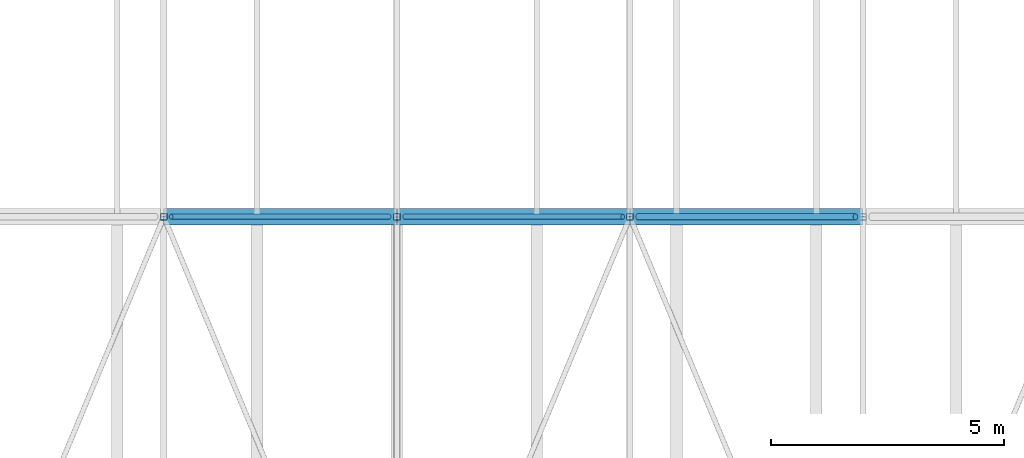
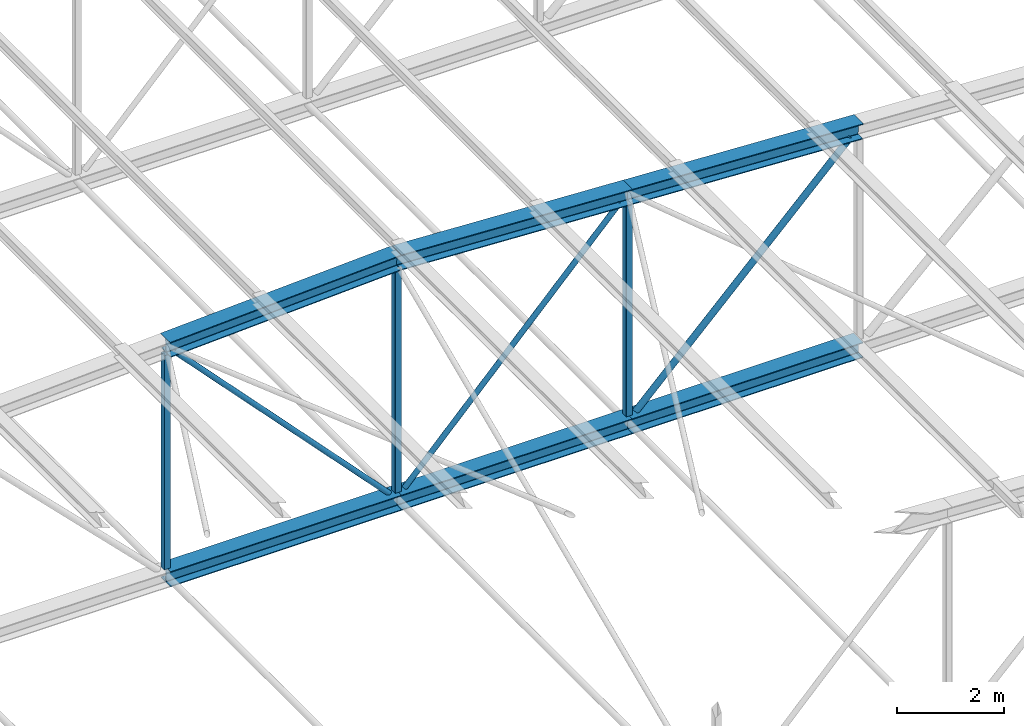
# One storey, part 101 of 156: 12 members.
"""IFC4 building model written with IfcOpenShell, lengths in metres."""

from ifc_helpers import new_model, si_unit, direction, frame, origin, origin_2d, place, context, subcontext, project, spatial, hollow_rectangle, hollow_circle, i_section, extrude, material, material_profile, profile_set, type_object, element, save


model = new_model("IFC4")

# Units and contexts
model_context = context("Model", 3, precision=1e-05, world=origin(), true_north=direction((0.0, 1.0)))
body_context = subcontext(model_context, "Body", "Model", "MODEL_VIEW")
ifc_project = project(units=[si_unit("LENGTHUNIT", "METRE"), si_unit("AREAUNIT", "SQUARE_METRE"), si_unit("VOLUMEUNIT", "CUBIC_METRE"), si_unit("PLANEANGLEUNIT", "RADIAN"), si_unit("MASSUNIT", "GRAM", prefix="KILO")], contexts=[model_context])

# Site, building, storey
site_placement = place(None, origin())
site = spatial("IfcSite", under=ifc_project, at=site_placement, CompositionType="ELEMENT")
building_placement = place(site_placement, origin())
building = spatial("IfcBuilding", under=site, at=building_placement, Name="Lilac Gate Convention Centre", CompositionType="ELEMENT")
storey_placement = place(building_placement, frame((0.0, 0.0, 17.0)))
storey = spatial("IfcBuildingStorey", under=building, at=storey_placement, Name="L03", CompositionType="ELEMENT", Elevation=17.0)

# Members
ifc_material = material(Name="Steel Q355B", Category="steel")
ifc_material_profile_1 = material_profile(ifc_material, i_section(OverallWidth=0.35693359375, OverallDepth=0.35009765625, WebThickness=0.01904296875, FlangeThickness=0.01904296875, FilletRadius=0.012939453125, at=origin_2d()), Name="HW350x357x19x19")
ifc_profile_set_1 = profile_set([ifc_material_profile_1], Name="Steel Q355B")
member_type_1 = type_object("IfcMemberType", Name="Truss bottom chord HW350x357x19x19", PredefinedType="CHORD", material=ifc_profile_set_1)
for number, where, z_axis, x_axis, name in (
    (1, (55.0, 186.0, 0.0), (1.0, 0.0, 0.0), (0.0, 1.0, 0.0), "TB3 truss 14 bottom chord 6"),
    (2, (60.0, 186.0, 0.0), (1.0, 0.0, 0.0), (0.0, 1.0, 0.0), "TB3 truss 14 bottom chord 7"),
    (3, (65.0, 186.0, 0.0), (1.0, 0.0, 0.0), (0.0, 1.0, 0.0), "TB3 truss 14 bottom chord 8"),
):
    element("IfcMember", number, at=place(storey_placement, frame(where, z_axis=z_axis, x_axis=x_axis)), inside=storey, type_object=member_type_1, Name=name, PredefinedType="CHORD", context=body_context, shape_type="SweptSolid", body=[
        extrude(i_section(OverallWidth=0.35693359375, OverallDepth=0.35009765625, WebThickness=0.01904296875, FlangeThickness=0.01904296875, FilletRadius=0.012939453125, at=origin_2d()), origin(), (0.0, 0.0, 1.0), 5.0),
    ])
ifc_material_profile_2 = material_profile(ifc_material, hollow_circle(Radius=0.05712890625, WallThickness=0.0048828125, at=origin_2d()), Name="CHS114.3x5")
ifc_profile_set_2 = profile_set([ifc_material_profile_2], Name="Steel Q355B")
member_type_2 = type_object("IfcMemberType", Name="Truss diagonal CHS114.3x5", PredefinedType="BRACE", material=ifc_profile_set_2)
for number, where, z_axis, x_axis, name in (
    (4, (55.156494140625, 186.0, 5.085693359375), (0.6896515765, 0.0, -0.724141355697), (0.0, 1.0, 0.0), "TW6 truss 14 diagonal 6"),
    (5, (64.843505859375, 186.0, 5.085693359375), (-0.6896515765, 0.0, -0.724141355697), (0.0, -1.0, 0.0), "TW6 truss 14 diagonal 7"),
):
    element("IfcMember", number, at=place(storey_placement, frame(where, z_axis=z_axis, x_axis=x_axis)), inside=storey, type_object=member_type_2, Name=name, PredefinedType="BRACE", context=body_context, shape_type="SweptSolid", body=[
        extrude(hollow_circle(Radius=0.05712890625, WallThickness=0.0048828125, at=origin_2d()), origin(), (0.0, 0.0, 1.0), 6.78125),
    ])
ifc_material_profile_3 = material_profile(ifc_material, hollow_circle(Radius=0.06982421875, WallThickness=0.006103515625, at=origin_2d()), Name="CHS139.7x6")
ifc_profile_set_3 = profile_set([ifc_material_profile_3], Name="Steel Q355B")
member_type_3 = type_object("IfcMemberType", Name="Truss diagonal CHS139.7x6", PredefinedType="BRACE", material=ifc_profile_set_3)
member_1_placement = place(storey_placement, frame((69.835693359375, 186.0, 4.835693359375), z_axis=(-0.707106781187, 0.0, -0.707106781187), x_axis=(0.0, -1.0, 0.0)))
element("IfcMember", 6, at=member_1_placement, inside=storey, type_object=member_type_3, Name="TW5 truss 14 diagonal 8", PredefinedType="BRACE", context=body_context, shape_type="SweptSolid", body=[
    extrude(hollow_circle(Radius=0.06982421875, WallThickness=0.006103515625, at=origin_2d()), origin(), (0.0, 0.0, 1.0), 6.591064453125),
])
ifc_material_profile_4 = material_profile(ifc_material, i_section(OverallWidth=0.35009765625, OverallDepth=0.35009765625, WebThickness=0.011962890625, FlangeThickness=0.01904296875, FilletRadius=0.012939453125, at=origin_2d()), Name="HW350x350x12x19")
ifc_profile_set_4 = profile_set([ifc_material_profile_4], Name="Steel Q355B")
member_type_4 = type_object("IfcMemberType", Name="Truss top chord HW350x350x12x19", PredefinedType="CHORD", material=ifc_profile_set_4)
member_2_placement = place(storey_placement, frame((65.0, 186.0, 5.25), z_axis=(0.998752338878, 0.0, -0.049937616944), x_axis=(0.0, 1.0, 0.0)))
element("IfcMember", 7, at=member_2_placement, inside=storey, type_object=member_type_4, Name="TT2 truss 14 top chord 8", PredefinedType="CHORD", context=body_context, shape_type="SweptSolid", body=[
    extrude(i_section(OverallWidth=0.35009765625, OverallDepth=0.35009765625, WebThickness=0.011962890625, FlangeThickness=0.01904296875, FilletRadius=0.012939453125, at=origin_2d()), origin(), (0.0, 0.0, 1.0), 5.00634765625),
])
ifc_material_profile_5 = material_profile(ifc_material, i_section(OverallWidth=0.35693359375, OverallDepth=0.35009765625, WebThickness=0.01904296875, FlangeThickness=0.01904296875, FilletRadius=0.012939453125, at=origin_2d()), Name="HW350x357x19x19")
ifc_profile_set_5 = profile_set([ifc_material_profile_5], Name="Steel Q355B")
member_type_5 = type_object("IfcMemberType", Name="Truss top chord HW350x357x19x19", PredefinedType="CHORD", material=ifc_profile_set_5)
for number, where, z_axis, x_axis, name in (
    (8, (55.0, 186.0, 5.25), (0.998752338878, 0.0, 0.049937616944), (0.0, 1.0, 0.0), "TT3 truss 14 top chord 6"),
    (9, (60.0, 186.0, 5.5), (0.998752338878, 0.0, -0.049937616944), (0.0, 1.0, 0.0), "TT3 truss 14 top chord 7"),
):
    element("IfcMember", number, at=place(storey_placement, frame(where, z_axis=z_axis, x_axis=x_axis)), inside=storey, type_object=member_type_5, Name=name, PredefinedType="CHORD", context=body_context, shape_type="SweptSolid", body=[
        extrude(i_section(OverallWidth=0.35693359375, OverallDepth=0.35009765625, WebThickness=0.01904296875, FlangeThickness=0.01904296875, FilletRadius=0.012939453125, at=origin_2d()), origin(), (0.0, 0.0, 1.0), 5.00634765625),
    ])
ifc_material_profile_6 = material_profile(ifc_material, hollow_rectangle(XDim=0.139892578125, YDim=0.139892578125, WallThickness=0.0048828125, InnerFilletRadius=0.0048828125, OuterFilletRadius=0.010009765625, at=origin_2d()), Name="SHS140x140x5")
ifc_profile_set_6 = profile_set([ifc_material_profile_6], Name="Steel Q355B")
member_type_6 = type_object("IfcMemberType", Name="Truss vertical SHS140x140x5", PredefinedType="STRUT", material=ifc_profile_set_6)
member_3_placement = place(storey_placement, frame((55.0, 186.0, 0.175048828125), z_axis=(0.0, 0.0, 1.0), x_axis=(1.0, 0.0, 0.0)))
element("IfcMember", 10, at=member_3_placement, inside=storey, type_object=member_type_6, Name="TV4 truss 14 vertical 6", PredefinedType="STRUT", context=body_context, shape_type="SweptSolid", body=[
    extrude(hollow_rectangle(XDim=0.139892578125, YDim=0.139892578125, WallThickness=0.0048828125, InnerFilletRadius=0.0048828125, OuterFilletRadius=0.010009765625, at=origin_2d()), origin(), (0.0, 0.0, 1.0), 4.899658203125),
])
member_4_placement = place(storey_placement, frame((60.0, 186.0, 0.175048828125), z_axis=(0.0, 0.0, 1.0), x_axis=(1.0, 0.0, 0.0)))
element("IfcMember", 11, at=member_4_placement, inside=storey, type_object=member_type_6, Name="TV4 truss 14 vertical 7", PredefinedType="STRUT", context=body_context, shape_type="SweptSolid", body=[
    extrude(hollow_rectangle(XDim=0.139892578125, YDim=0.139892578125, WallThickness=0.0048828125, InnerFilletRadius=0.0048828125, OuterFilletRadius=0.010009765625, at=origin_2d()), origin(), (0.0, 0.0, 1.0), 5.149658203125),
])
member_5_placement = place(storey_placement, frame((65.0, 186.0, 0.175048828125), z_axis=(0.0, 0.0, 1.0), x_axis=(1.0, 0.0, 0.0)))
element("IfcMember", 12, at=member_5_placement, inside=storey, type_object=member_type_6, Name="TV4 truss 14 vertical 8", PredefinedType="STRUT", context=body_context, shape_type="SweptSolid", body=[
    extrude(hollow_rectangle(XDim=0.139892578125, YDim=0.139892578125, WallThickness=0.0048828125, InnerFilletRadius=0.0048828125, OuterFilletRadius=0.010009765625, at=origin_2d()), origin(), (0.0, 0.0, 1.0), 4.899658203125),
])

save(model, "model.ifc")
